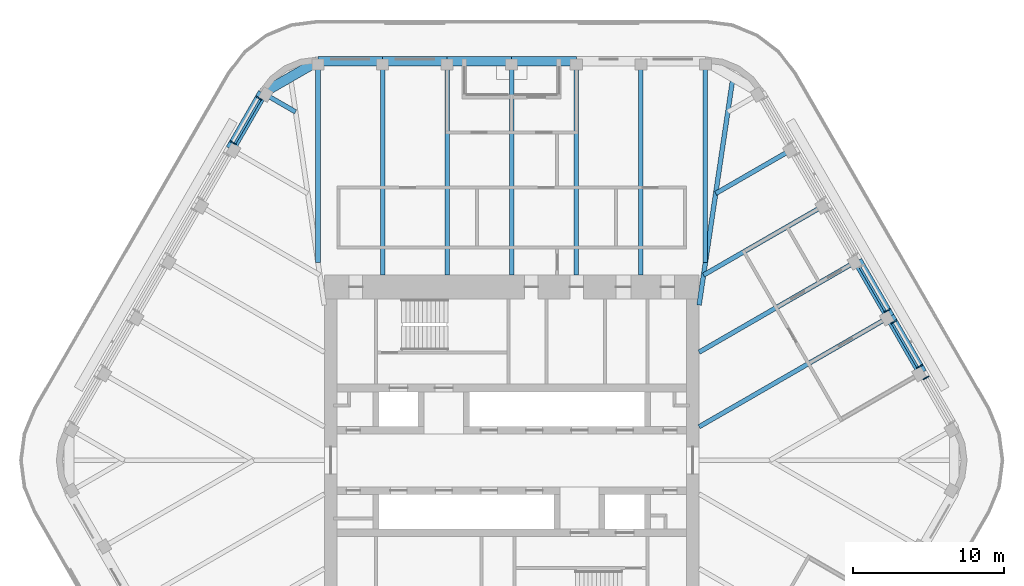
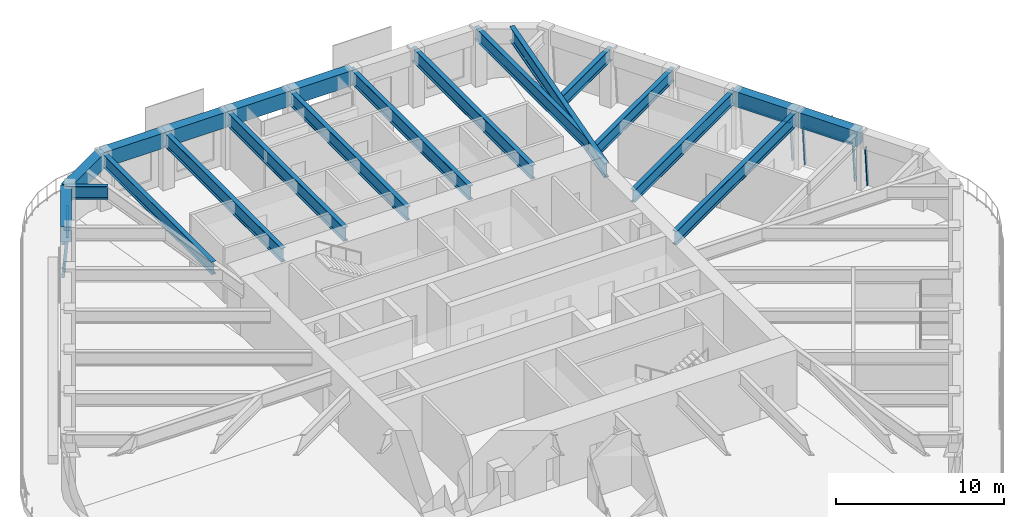
# One storey, part 9 of 19: 21 beams, 9 members, 4 elements without a shape of their own.
"""IFC4 building model written with IfcOpenShell, lengths in metres."""

from ifc_helpers import new_model, si_unit, direction, frame, origin, origin_2d, place, context, subcontext, project, spatial, rectangle, i_section, extrude, material, material_profile, profile_set, type_object, element, aggregate, save


model = new_model("IFC4")

# Units and contexts
model_context = context("Model", 3, precision=1e-05, world=origin(), true_north=direction((0.0, 1.0)))
body_context = subcontext(model_context, "Body", "Model", "MODEL_VIEW")
ifc_project = project(units=[si_unit("LENGTHUNIT", "METRE"), si_unit("AREAUNIT", "SQUARE_METRE"), si_unit("VOLUMEUNIT", "CUBIC_METRE"), si_unit("PLANEANGLEUNIT", "RADIAN"), si_unit("MASSUNIT", "GRAM", prefix="KILO")], contexts=[model_context])

# Site, building, storey
site_placement = place(None, origin())
site = spatial("IfcSite", under=ifc_project, at=site_placement, CompositionType="ELEMENT")
building_placement = place(site_placement, origin())
building = spatial("IfcBuilding", under=site, at=building_placement, Name="Tarfa Lantern Tower", CompositionType="ELEMENT")
storey_placement = place(building_placement, frame((0.0, 0.0, 374.5)))
storey = spatial("IfcBuildingStorey", under=building, at=storey_placement, Name="L85", CompositionType="ELEMENT", Elevation=374.5)

# Curtain wall, member
ifc_material_1 = material(Name="Aluminium framed curtain wall", Category="aluminium")
curtain_wall_type = type_object("IfcCurtainWallType", Name="CW4 CANTED GLAZING EXECUTIVE ZONE 2900", PredefinedType="USERDEFINED", material=ifc_material_1)
curtain_wall_1_placement = place(storey_placement, origin())
curtain_wall_1 = element("IfcCurtainWall", 1, at=curtain_wall_1_placement, inside=storey, type_object=curtain_wall_type, Name="CW4 NE L85", ObjectType="CURTAIN WALL", PredefinedType="USERDEFINED")
ifc_material_2 = material(Name="Aluminium mullion", Category="aluminium")
ifc_material_profile_1 = material_profile(ifc_material_2, rectangle(XDim=0.06494140625, YDim=0.199951171875, at=origin_2d()), Name="AL MULLION 65x200")
ifc_profile_set_1 = profile_set([ifc_material_profile_1], Name="Aluminium mullion")
member_type_1 = type_object("IfcMemberType", Name="CWM1 MULLION 65x200", PredefinedType="MULLION", material=ifc_profile_set_1)
member_1_placement = place(storey_placement, frame((27.577880859375, 5.53369140625, 0.0), z_axis=(-0.074399820079, -0.042945555672, 0.996303340364), x_axis=(0.499919672301, -0.866071776036, 0.0)))
member_1 = element("IfcMember", 2, at=member_1_placement, type_object=member_type_1, Name="CW4 mullion 2", PredefinedType="MULLION", context=body_context, shape_type="SweptSolid", body=[
    extrude(rectangle(XDim=0.06494140625, YDim=0.199951171875, at=origin_2d()), origin(), (0.0, 0.0, 1.0), 2.91064453125),
])
aggregate(curtain_wall_1, [member_1])

# Curtain wall, members
curtain_wall_2_placement = place(storey_placement, origin())
curtain_wall_2 = element("IfcCurtainWall", 3, at=curtain_wall_2_placement, inside=storey, type_object=curtain_wall_type, Name="CW4 NE L85", ObjectType="CURTAIN WALL", PredefinedType="USERDEFINED")
member_2_placement = place(storey_placement, frame((27.145263671875, 6.282958984375, 0.0), z_axis=(-0.074316405553, -0.042945823525, 0.996309554359), x_axis=(0.500342721131, -0.865827443207, 0.0)))
member_2 = element("IfcMember", 4, at=member_2_placement, type_object=member_type_1, Name="CW4 mullion 1", PredefinedType="MULLION", context=body_context, shape_type="SweptSolid", body=[
    extrude(rectangle(XDim=0.06494140625, YDim=0.199951171875, at=origin_2d()), origin(), (0.0, 0.0, 1.0), 2.91064453125),
])
member_3_placement = place(storey_placement, frame((25.436767578125, 9.2421875, 0.0), z_axis=(-0.074399820079, -0.042945555672, 0.996303340364), x_axis=(0.499919672301, -0.866071776036, 0.0)))
member_3 = element("IfcMember", 5, at=member_3_placement, type_object=member_type_1, Name="CW4 mullion 2", PredefinedType="MULLION", context=body_context, shape_type="SweptSolid", body=[
    extrude(rectangle(XDim=0.06494140625, YDim=0.199951171875, at=origin_2d()), origin(), (0.0, 0.0, 1.0), 2.91064453125),
])

# Curtain wall, member
curtain_wall_3_placement = place(storey_placement, origin())
curtain_wall_3 = element("IfcCurtainWall", 6, at=curtain_wall_3_placement, inside=storey, type_object=curtain_wall_type, Name="CW4 NE L85", ObjectType="CURTAIN WALL", PredefinedType="USERDEFINED")
member_4_placement = place(storey_placement, frame((25.00439453125, 9.9912109375, 0.0), z_axis=(-0.074399820079, -0.042945555672, 0.996303340364), x_axis=(0.499919672301, -0.866071776036, 0.0)))
member_4 = element("IfcMember", 7, at=member_4_placement, type_object=member_type_1, Name="CW4 mullion 1", PredefinedType="MULLION", context=body_context, shape_type="SweptSolid", body=[
    extrude(rectangle(XDim=0.06494140625, YDim=0.199951171875, at=origin_2d()), origin(), (0.0, 0.0, 1.0), 2.91064453125),
])

# Curtain wall, members
curtain_wall_4_placement = place(storey_placement, origin())
curtain_wall_4 = element("IfcCurtainWall", 8, at=curtain_wall_4_placement, inside=storey, type_object=curtain_wall_type, Name="CW4 NW L85", ObjectType="CURTAIN WALL", PredefinedType="USERDEFINED")
member_5_placement = place(storey_placement, frame((-16.872802734375, 24.075439453125, 0.0), z_axis=(0.074399820079, -0.042945555672, 0.996303340364), x_axis=(0.499919672301, 0.866071776036, 0.0)))
member_5 = element("IfcMember", 9, at=member_5_placement, type_object=member_type_1, Name="CW4 mullion 1", PredefinedType="MULLION", context=body_context, shape_type="SweptSolid", body=[
    extrude(rectangle(XDim=0.06494140625, YDim=0.199951171875, at=origin_2d()), origin(), (0.0, 0.0, 1.0), 2.91064453125),
])
member_6_placement = place(storey_placement, frame((-18.581298828125, 21.1162109375, 0.0), z_axis=(0.074399820079, -0.042945555672, 0.996303340364), x_axis=(0.499919672301, 0.866071776036, 0.0)))
member_6 = element("IfcMember", 10, at=member_6_placement, type_object=member_type_1, Name="CW4 mullion 2", PredefinedType="MULLION", context=body_context, shape_type="SweptSolid", body=[
    extrude(rectangle(XDim=0.06494140625, YDim=0.199951171875, at=origin_2d()), origin(), (0.0, 0.0, 1.0), 2.91064453125),
])

# Member
ifc_material_3 = material(Name="Aluminium transom", Category="aluminium")
ifc_material_profile_2 = material_profile(ifc_material_3, rectangle(XDim=0.14990234375, YDim=0.06494140625, at=origin_2d()), Name="AL TRANSOM 150x65")
ifc_profile_set_2 = profile_set([ifc_material_profile_2], Name="Aluminium transom")
member_type_2 = type_object("IfcMemberType", Name="CWT1 TRANSOM 150x65", PredefinedType="USERDEFINED", material=ifc_profile_set_2)
member_7_placement = place(storey_placement, frame((26.9150390625, 6.1875, 2.867431640625), z_axis=(-0.500016677412, 0.866015774862, 0.0), x_axis=(-0.866015774862, -0.500016677412, 0.0)))
member_7 = element("IfcMember", 11, at=member_7_placement, type_object=member_type_2, Name="CW4 transom 1.2", ObjectType="TRANSOM", PredefinedType="USERDEFINED", context=body_context, shape_type="SweptSolid", body=[
    extrude(rectangle(XDim=0.14990234375, YDim=0.06494140625, at=origin_2d()), origin(), (0.0, 0.0, 1.0), 3.35205078125),
])

aggregate(curtain_wall_2, [member_2, member_3, member_7])

member_8_placement = place(storey_placement, frame((24.77392578125, 9.895751953125, 2.867431640625), z_axis=(-0.500016677412, 0.866015774862, 0.0), x_axis=(-0.866015774862, -0.500016677412, 0.0)))
member_8 = element("IfcMember", 12, at=member_8_placement, type_object=member_type_2, Name="CW4 transom 1.2", ObjectType="TRANSOM", PredefinedType="USERDEFINED", context=body_context, shape_type="SweptSolid", body=[
    extrude(rectangle(XDim=0.14990234375, YDim=0.06494140625, at=origin_2d()), origin(), (0.0, 0.0, 1.0), 3.35205078125),
])

aggregate(curtain_wall_3, [member_4, member_8])

member_9_placement = place(storey_placement, frame((-16.675048828125, 23.923583984375, 2.867431640625), z_axis=(-0.500016677412, -0.866015774862, 0.0), x_axis=(0.866015774862, -0.500016677412, 0.0)))
member_9 = element("IfcMember", 13, at=member_9_placement, type_object=member_type_2, Name="CW4 transom 1.2", ObjectType="TRANSOM", PredefinedType="USERDEFINED", context=body_context, shape_type="SweptSolid", body=[
    extrude(rectangle(XDim=0.14990234375, YDim=0.06494140625, at=origin_2d()), origin(), (0.0, 0.0, 1.0), 3.35205078125),
])

aggregate(curtain_wall_4, [member_5, member_6, member_9])

# Beams
ifc_material_4 = material(Name="Concrete C80/95", Category="concrete")
ifc_material_profile_3 = material_profile(ifc_material_4, rectangle(XDim=0.64990234375, YDim=1.10009765625, at=origin_2d()), Name="RC 650x1100")
ifc_profile_set_3 = profile_set([ifc_material_profile_3], Name="Concrete C80/95")
beam_type_1 = type_object("IfcBeamType", Name="EB4 RC 650x1100", PredefinedType="SPANDREL", material=ifc_profile_set_3)
beam_1_placement = place(storey_placement, frame((27.205810546875, 5.818359375, 3.449951171875), z_axis=(-0.500026801138, 0.866009929587, 0.0), x_axis=(-0.866009929587, -0.500026801138, 0.0)))
element("IfcBeam", 14, at=beam_1_placement, inside=storey, type_object=beam_type_1, Name="Edge beam NE1", PredefinedType="SPANDREL", context=body_context, shape_type="SweptSolid", body=[
    extrude(rectangle(XDim=0.64990234375, YDim=1.10009765625, at=origin_2d()), origin(), (0.0, 0.0, 1.0), 4.281982421875),
])
beam_2_placement = place(storey_placement, frame((25.064697265625, 9.526611328125, 3.449951171875), z_axis=(-0.500002112793, 0.866024183959, 0.0), x_axis=(-0.866024183959, -0.500002112793, 0.0)))
element("IfcBeam", 15, at=beam_2_placement, inside=storey, type_object=beam_type_1, Name="Edge beam NE2", PredefinedType="SPANDREL", context=body_context, shape_type="SweptSolid", body=[
    extrude(rectangle(XDim=0.64990234375, YDim=1.10009765625, at=origin_2d()), origin(), (0.0, 0.0, 1.0), 4.2822265625),
])
for number, where, z_axis, x_axis, name in (
    (16, (4.281982421875, 26.469970703125, 3.449951171875), (-1.0, 0.0, 0.0), (0.0, -1.0, 0.0), "Edge beam N2"),
    (17, (0.0, 26.469970703125, 3.449951171875), (-1.0, 0.0, 0.0), (0.0, -1.0, 0.0), "Edge beam N3"),
    (18, (-4.281982421875, 26.469970703125, 3.449951171875), (-1.0, 0.0, 0.0), (0.0, -1.0, 0.0), "Edge beam N4"),
    (19, (-8.56396484375, 26.469970703125, 3.449951171875), (-1.0, 0.0, 0.0), (0.0, -1.0, 0.0), "Edge beam N5"),
):
    element("IfcBeam", number, at=place(storey_placement, frame(where, z_axis=z_axis, x_axis=x_axis)), inside=storey, type_object=beam_type_1, Name=name, PredefinedType="SPANDREL", context=body_context, shape_type="SweptSolid", body=[
        extrude(rectangle(XDim=0.64990234375, YDim=1.10009765625, at=origin_2d()), origin(), (0.0, 0.0, 1.0), 4.281982421875),
    ])
beam_3_placement = place(storey_placement, frame((-12.845947265625, 26.469970703125, 3.449951171875), z_axis=(-0.866048788483, -0.499959494327, 0.0), x_axis=(0.499959494327, -0.866048788483, 0.0)))
element("IfcBeam", 20, at=beam_3_placement, inside=storey, type_object=beam_type_1, Name="Edge beam N6", PredefinedType="SPANDREL", context=body_context, shape_type="SweptSolid", body=[
    extrude(rectangle(XDim=0.64990234375, YDim=1.10009765625, at=origin_2d()), origin(), (0.0, 0.0, 1.0), 4.219970703125),
])
beam_4_placement = place(storey_placement, frame((-16.500732421875, 24.360107421875, 3.449951171875), z_axis=(-0.499959351497, -0.866048870937, 0.0), x_axis=(0.866048870937, -0.499959351497, 0.0)))
element("IfcBeam", 21, at=beam_4_placement, inside=storey, type_object=beam_type_1, Name="Edge beam NW0", PredefinedType="SPANDREL", context=body_context, shape_type="SweptSolid", body=[
    extrude(rectangle(XDim=0.64990234375, YDim=1.10009765625, at=origin_2d()), origin(), (0.0, 0.0, 1.0), 4.281982421875),
])
ifc_material_5 = material(Name="Steel S460M", Category="steel")
ifc_material_profile_4 = material_profile(ifc_material_5, i_section(OverallWidth=0.302001953125, OverallDepth=1.008056640625, WebThickness=0.02099609375, FlangeThickness=0.0400390625, FilletRadius=0.030029296875, at=origin_2d()), Name="UB1016x305x349")
ifc_profile_set_4 = profile_set([ifc_material_profile_4], Name="Steel S460M")
beam_type_2 = type_object("IfcBeamType", Name="UB1016x305x349", PredefinedType="BEAM", material=ifc_profile_set_4)
beam_5_placement = place(storey_placement, frame((25.064697265625, 9.526611328125, 3.495849609375), z_axis=(-0.866029591389, -0.499992746786, 0.0), x_axis=(0.499992746786, -0.866029591389, 0.0)))
element("IfcBeam", 22, at=beam_5_placement, inside=storey, type_object=beam_type_2, Name="Floor beam NE2", PredefinedType="BEAM", context=body_context, shape_type="SweptSolid", body=[
    extrude(i_section(OverallWidth=0.302001953125, OverallDepth=1.008056640625, WebThickness=0.02099609375, FlangeThickness=0.0400390625, FilletRadius=0.030029296875, at=origin_2d()), origin(), (0.0, 0.0, 1.0), 14.594970703125),
])
for number, where, z_axis, x_axis, name in (
    (23, (8.56396484375, 26.469970703125, 3.495849609375), (0.0, -1.0, 0.0), (1.0, 0.0, 0.0), "Floor beam N1"),
    (24, (4.281982421875, 26.469970703125, 3.495849609375), (0.0, -1.0, 0.0), (1.0, 0.0, 0.0), "Floor beam N2"),
    (25, (0.0, 26.469970703125, 3.495849609375), (0.0, -1.0, 0.0), (1.0, 0.0, 0.0), "Floor beam N3"),
    (26, (-4.281982421875, 26.469970703125, 3.495849609375), (0.0, -1.0, 0.0), (1.0, 0.0, 0.0), "Floor beam N4"),
    (27, (-8.56396484375, 26.469970703125, 3.495849609375), (0.0, -1.0, 0.0), (1.0, 0.0, 0.0), "Floor beam N5"),
):
    element("IfcBeam", number, at=place(storey_placement, frame(where, z_axis=z_axis, x_axis=x_axis)), inside=storey, type_object=beam_type_2, Name=name, PredefinedType="BEAM", context=body_context, shape_type="SweptSolid", body=[
        extrude(i_section(OverallWidth=0.302001953125, OverallDepth=1.008056640625, WebThickness=0.02099609375, FlangeThickness=0.0400390625, FilletRadius=0.030029296875, at=origin_2d()), origin(), (0.0, 0.0, 1.0), 14.169921875),
    ])
ifc_material_profile_5 = material_profile(ifc_material_5, i_section(OverallWidth=0.30859375, OverallDepth=1.036376953125, WebThickness=0.030029296875, FlangeThickness=0.05419921875, FilletRadius=0.030029296875, at=origin_2d()), Name="UB1016x305x487")
ifc_profile_set_5 = profile_set([ifc_material_profile_5], Name="Steel S460M")
beam_type_3 = type_object("IfcBeamType", Name="UB1016x305x487", PredefinedType="BEAM", material=ifc_profile_set_5)
beam_6_placement = place(storey_placement, frame((12.425048828125, 10.300048828125, 3.48193359375), z_axis=(0.147127069073, 0.989117599452, 0.0), x_axis=(-0.989117599452, 0.147127069073, 0.0)))
element("IfcBeam", 28, at=beam_6_placement, inside=storey, type_object=beam_type_3, Name="Hip girder NE", PredefinedType="BEAM", context=body_context, shape_type="SweptSolid", body=[
    extrude(i_section(OverallWidth=0.30859375, OverallDepth=1.036376953125, WebThickness=0.030029296875, FlangeThickness=0.05419921875, FilletRadius=0.030029296875, at=origin_2d()), origin(), (0.0, 0.0, 1.0), 15.28125),
])
ifc_material_profile_6 = material_profile(ifc_material_5, i_section(OverallWidth=0.305419921875, OverallDepth=0.91845703125, WebThickness=0.017333984375, FlangeThickness=0.02783203125, FilletRadius=0.01904296875, at=origin_2d()), Name="UB914x305x253")
ifc_profile_set_6 = profile_set([ifc_material_profile_6], Name="Steel S460M")
beam_type_4 = type_object("IfcBeamType", Name="UB914x305x253", PredefinedType="BEAM", material=ifc_profile_set_6)
beam_7_placement = place(storey_placement, frame((22.923583984375, 13.235107421875, 3.540771484375), z_axis=(-0.86601856927, -0.500011837539, 0.0), x_axis=(0.500011837539, -0.86601856927, 0.0)))
element("IfcBeam", 29, at=beam_7_placement, inside=storey, type_object=beam_type_4, Name="Floor beam NE3", PredefinedType="BEAM", context=body_context, shape_type="SweptSolid", body=[
    extrude(i_section(OverallWidth=0.305419921875, OverallDepth=0.91845703125, WebThickness=0.017333984375, FlangeThickness=0.02783203125, FilletRadius=0.01904296875, at=origin_2d()), origin(), (0.0, 0.0, 1.0), 12.122802734375),
])
beam_8_placement = place(storey_placement, frame((20.78271484375, 16.943359375, 3.540771484375), z_axis=(-0.866021806508, -0.500006230613, 0.0), x_axis=(0.500006230613, -0.866021806508, 0.0)))
element("IfcBeam", 30, at=beam_8_placement, inside=storey, type_object=beam_type_4, Name="Floor beam NE4", PredefinedType="BEAM", context=body_context, shape_type="SweptSolid", body=[
    extrude(i_section(OverallWidth=0.305419921875, OverallDepth=0.91845703125, WebThickness=0.017333984375, FlangeThickness=0.02783203125, FilletRadius=0.01904296875, at=origin_2d()), origin(), (0.0, 0.0, 1.0), 9.30908203125),
])
beam_9_placement = place(storey_placement, frame((18.6416015625, 20.651611328125, 3.540771484375), z_axis=(-0.866024549157, -0.500001480256, 0.0), x_axis=(0.500001480256, -0.866024549157, 0.0)))
element("IfcBeam", 31, at=beam_9_placement, inside=storey, type_object=beam_type_4, Name="Floor beam NE5", PredefinedType="BEAM", context=body_context, shape_type="SweptSolid", body=[
    extrude(i_section(OverallWidth=0.305419921875, OverallDepth=0.91845703125, WebThickness=0.017333984375, FlangeThickness=0.02783203125, FilletRadius=0.01904296875, at=origin_2d()), origin(), (0.0, 0.0, 1.0), 5.90771484375),
])
for number, where, z_axis, x_axis, name in (
    (32, (12.845947265625, 26.469970703125, 3.540771484375), (0.0, -1.0, 0.0), (1.0, 0.0, 0.0), "Floor beam N0"),
    (33, (-12.845947265625, 26.469970703125, 3.540771484375), (0.0, -1.0, 0.0), (1.0, 0.0, 0.0), "Floor beam N6"),
):
    element("IfcBeam", number, at=place(storey_placement, frame(where, z_axis=z_axis, x_axis=x_axis)), inside=storey, type_object=beam_type_4, Name=name, PredefinedType="BEAM", context=body_context, shape_type="SweptSolid", body=[
        extrude(i_section(OverallWidth=0.305419921875, OverallDepth=0.91845703125, WebThickness=0.017333984375, FlangeThickness=0.02783203125, FilletRadius=0.01904296875, at=origin_2d()), origin(), (0.0, 0.0, 1.0), 13.33935546875),
    ])
beam_10_placement = place(storey_placement, frame((-16.500732421875, 24.360107421875, 3.540771484375), z_axis=(0.865992557167, -0.500056887695, 0.0), x_axis=(0.500056887695, 0.865992557167, 0.0)))
element("IfcBeam", 34, at=beam_10_placement, inside=storey, type_object=beam_type_4, Name="Floor beam NW0", PredefinedType="BEAM", context=body_context, shape_type="SweptSolid", body=[
    extrude(i_section(OverallWidth=0.305419921875, OverallDepth=0.91845703125, WebThickness=0.017333984375, FlangeThickness=0.02783203125, FilletRadius=0.01904296875, at=origin_2d()), origin(), (0.0, 0.0, 1.0), 2.506591796875),
])

save(model, "model.ifc")
